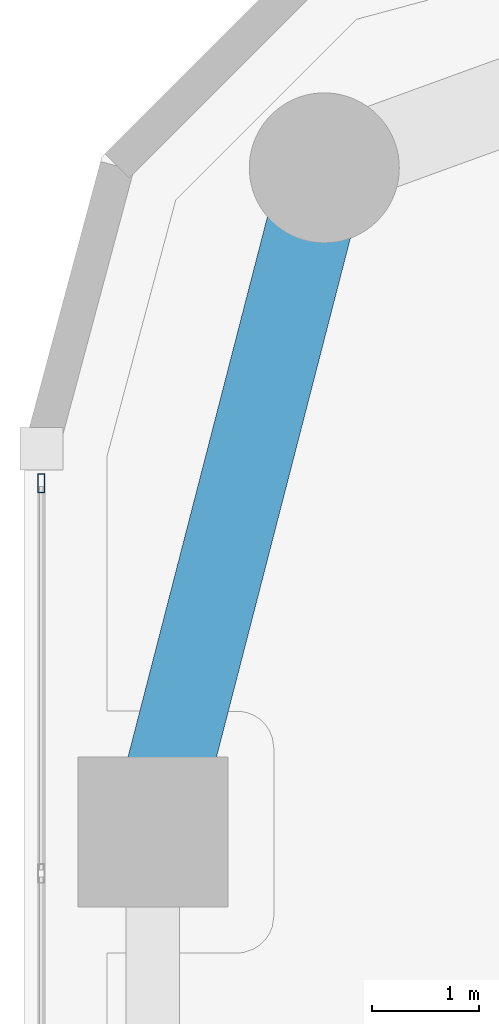
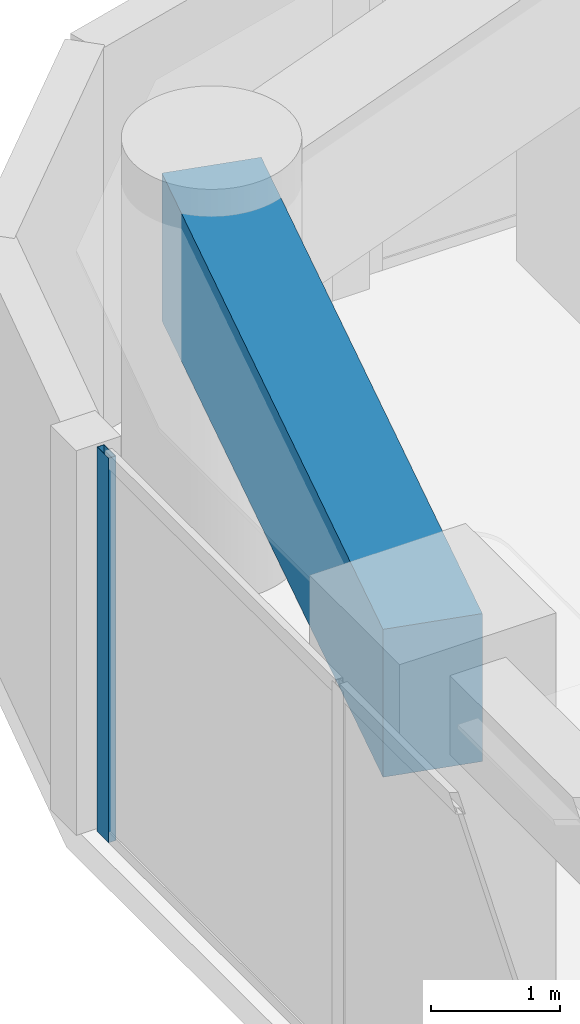
# One storey, part 11 of 24: 1 beam, 1 member, 1 element without a shape of its own.
"""IFC4 building model written with IfcOpenShell, lengths in metres."""

from ifc_helpers import new_model, si_unit, direction, frame, origin, origin_2d, place, context, subcontext, project, spatial, rectangle, hollow_rectangle, extrude, material, layer, layer_set, material_profile, profile_set, type_object, element, aggregate, save


model = new_model("IFC4")

# Units and contexts
model_context = context("Model", 3, precision=1e-05, world=origin(), true_north=direction((0.0, 1.0)))
body_context = subcontext(model_context, "Body", "Model", "MODEL_VIEW")
ifc_project = project(units=[si_unit("LENGTHUNIT", "METRE"), si_unit("AREAUNIT", "SQUARE_METRE"), si_unit("VOLUMEUNIT", "CUBIC_METRE"), si_unit("PLANEANGLEUNIT", "RADIAN"), si_unit("MASSUNIT", "GRAM", prefix="KILO")], contexts=[model_context])

# Site, building, storey
site_placement = place(None, origin())
site = spatial("IfcSite", under=ifc_project, at=site_placement, CompositionType="ELEMENT")
building_placement = place(site_placement, origin())
building = spatial("IfcBuilding", under=site, at=building_placement, Name="Kiyonajd Concourse Tower", CompositionType="ELEMENT")
storey_placement = place(building_placement, frame((0.0, 0.0, 97.5)))
storey = spatial("IfcBuildingStorey", under=building, at=storey_placement, Name="L25", CompositionType="ELEMENT", Elevation=97.5)

# Beam
ifc_material_1 = material(Name="Concrete C60/75", Category="concrete")
ifc_material_profile_1 = material_profile(ifc_material_1, rectangle(XDim=0.800048828125, YDim=1.39990234375, at=origin_2d()), Name="RCBM-800x1400")
ifc_profile_set_1 = profile_set([ifc_material_profile_1], Name="Concrete C60/75")
beam_type = type_object("IfcBeamType", Name="BM-XFER-RC", PredefinedType="BEAM", material=ifc_profile_set_1)
beam_placement = place(storey_placement, frame((20.800048828125, 59.60009765625, 2.93994140625), z_axis=(-0.249884937687, -0.968275538221, 0.0), x_axis=(0.968275538221, -0.249884937687, 0.0)))
element("IfcBeam", 1, at=beam_placement, inside=storey, type_object=beam_type, Name="L25 Perimeter Bundled Tube Spandrel", PredefinedType="BEAM", context=body_context, shape_type="SweptSolid", body=[
    extrude(rectangle(XDim=0.800048828125, YDim=1.39990234375, at=origin_2d()), origin(), (0.0, 0.0, 1.0), 6.4033203125),
])

# Curtain wall, member
ifc_material_2 = material(Name="Thermally Broken Anodised Aluminium", Category="aluminium")
ifc_layer = layer(ifc_material_2, 0.179931640625)
ifc_layer_set = layer_set([ifc_layer], Name="Thermally Broken Anodised Aluminium")
curtain_wall_type = type_object("IfcCurtainWallType", Name="CW-SYS-03", PredefinedType="NOTDEFINED", material=ifc_layer_set)
curtain_wall_placement = place(storey_placement, origin())
curtain_wall = element("IfcCurtainWall", 2, at=curtain_wall_placement, inside=storey, type_object=curtain_wall_type, Name="L25 Unitised Curtain Wall CW3", PredefinedType="NOTDEFINED")
ifc_material_profile_2 = material_profile(ifc_material_2, hollow_rectangle(XDim=0.06494140625, YDim=0.179931640625, WallThickness=0.00390625, at=origin_2d()), Name="MULL-65x180")
ifc_profile_set_2 = profile_set([ifc_material_profile_2], Name="Thermally Broken Anodised Aluminium")
member_type = type_object("IfcMemberType", Name="MB-CW-MULL1", PredefinedType="MULLION", material=ifc_profile_set_2)
member_placement = place(storey_placement, frame((18.159912109375, 56.656494140625, 0.0), z_axis=(0.0, 0.0, 1.0), x_axis=(-1.0, 0.0, 0.0)))
member = element("IfcMember", 3, at=member_placement, type_object=member_type, Name="CW3 mullion 7", PredefinedType="MULLION", context=body_context, shape_type="SweptSolid", body=[
    extrude(hollow_rectangle(XDim=0.06494140625, YDim=0.179931640625, WallThickness=0.00390625, at=origin_2d()), origin(), (0.0, 0.0, 1.0), 3.639892578125),
])
aggregate(curtain_wall, [member])

save(model, "model.ifc")
